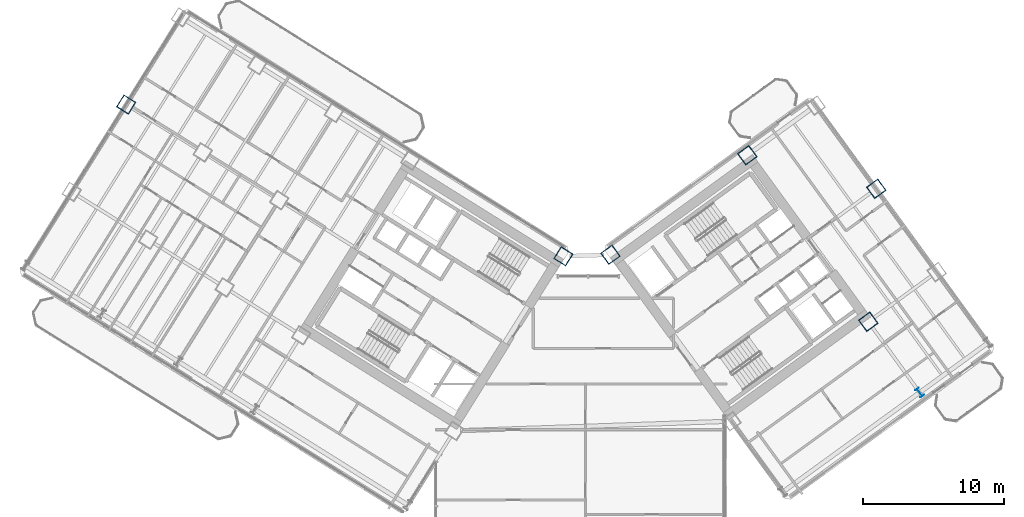
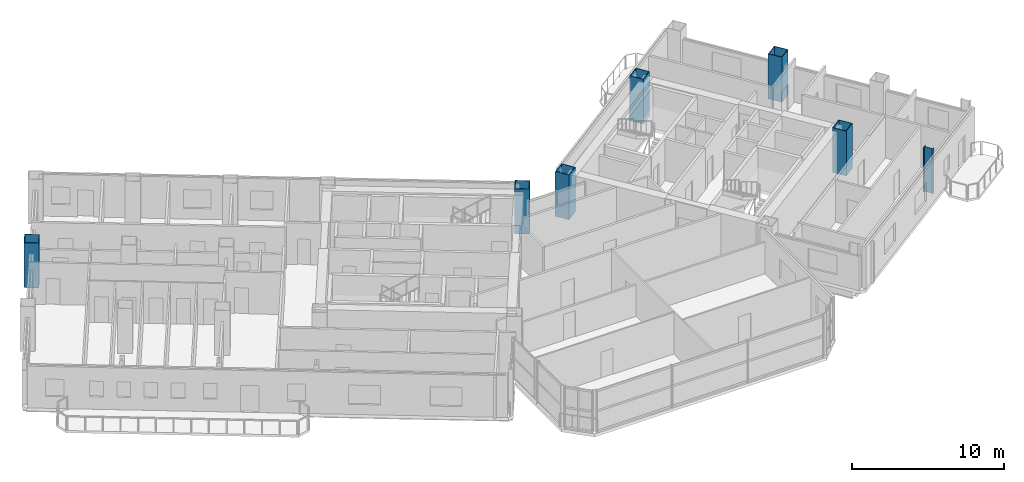
# One storey, part 2 of 28: 7 columns.
"""IFC4 building model written with IfcOpenShell, lengths in metres."""

from ifc_helpers import new_model, si_unit, direction, frame, origin, origin_2d, place, context, subcontext, project, spatial, hollow_rectangle, i_section, extrude, source, transform, mapped, material, material_profile, profile_set, type_object, element, save


model = new_model("IFC4")

# Units and contexts
model_context = context("Model", 3, precision=1e-05, world=origin(), true_north=direction((0.0, 1.0)))
body_context = subcontext(model_context, "Body", "Model", "MODEL_VIEW")
ifc_project = project(units=[si_unit("LENGTHUNIT", "METRE"), si_unit("AREAUNIT", "SQUARE_METRE"), si_unit("VOLUMEUNIT", "CUBIC_METRE"), si_unit("PLANEANGLEUNIT", "RADIAN"), si_unit("MASSUNIT", "GRAM", prefix="KILO")], contexts=[model_context])

# Site, building, storey
site_placement = place(None, origin())
site = spatial("IfcSite", under=ifc_project, at=site_placement, CompositionType="ELEMENT")
building_placement = place(site_placement, origin())
building = spatial("IfcBuilding", under=site, at=building_placement, Name="Tlacorven Tower", CompositionType="ELEMENT")
storey_placement = place(building_placement, frame((0.0, 0.0, 63.60009765625)))
storey = spatial("IfcBuildingStorey", under=building, at=storey_placement, Name="L16", CompositionType="ELEMENT", Elevation=63.60009765625)

# Columns
ifc_material = material(Name="Steel S460M", Category="steel")
ifc_material_profile_1 = material_profile(ifc_material, hollow_rectangle(XDim=1.0, YDim=1.0, WallThickness=0.0400390625, at=origin_2d()), Name="BOX 1000X1000X40")
ifc_profile_set_1 = profile_set([ifc_material_profile_1], Name="Steel S460M")
column_type_1 = type_object("IfcColumnType", Name="COL-TWR-S1", PredefinedType="COLUMN", material=ifc_profile_set_1)
shared_shape_1 = source(origin(), body_context, "Body", "SweptSolid", [
    extrude(hollow_rectangle(XDim=1.0, YDim=1.0, WallThickness=0.0400390625, at=origin_2d()), origin(), (0.0, 0.0, 1.0), 3.599853515625),
])
for number, where, z_axis, x_axis, name in (
    (1, (40.782958984375, 24.468505859375, 0.0), (0.0, 0.0, 1.0), (-0.848048096156, 0.529919264233, 0.0), "L16 column COL-L16-W1-1"),
    (2, (9.777099609375, 35.235107421875, 0.0), (0.0, 0.0, 1.0), (-0.848048096156, 0.529919264233, 0.0), "L16 column COL-L16-W6-2"),
    (3, (44.123779296875, 24.5849609375, 0.0), (0.0, 0.0, 1.0), (0.809016994375, 0.587785252292, 0.0), "L16 column COL-L16-E1-4"),
    (4, (62.41357421875, 19.826904296875, 0.0), (0.0, 0.0, 1.0), (0.809016994375, 0.587785252292, 0.0), "L16 column COL-L16-E3-2"),
    (5, (53.83203125, 31.638427734375, 0.0), (0.0, 0.0, 1.0), (0.809016994375, 0.587785252292, 0.0), "L16 column COL-L16-E3-4"),
    (6, (62.976806640625, 29.25927734375, 0.0), (0.0, 0.0, 1.0), (0.809016994375, 0.587785252292, 0.0), "L16 column COL-L16-E4-3"),
):
    element("IfcColumn", number, at=place(storey_placement, frame(where, z_axis=z_axis, x_axis=x_axis)), inside=storey, type_object=column_type_1, Name=name, PredefinedType="COLUMN", context=body_context, shape_type="MappedRepresentation", body=[
        mapped(shared_shape_1, transform((0.0, 0.0, 0.0), scale=1.0)),
    ])
ifc_material_profile_2 = material_profile(ifc_material, i_section(OverallWidth=0.300048828125, OverallDepth=0.64990234375, WebThickness=0.01611328125, FlangeThickness=0.031005859375, at=origin_2d()), Name="HEB 650")
ifc_profile_set_2 = profile_set([ifc_material_profile_2], Name="Steel S460M")
column_type_2 = type_object("IfcColumnType", Name="COL-TWR-P1", PredefinedType="COLUMN", material=ifc_profile_set_2)
shared_shape_2 = source(origin(), body_context, "Body", "SweptSolid", [
    extrude(i_section(OverallWidth=0.300048828125, OverallDepth=0.64990234375, WebThickness=0.01611328125, FlangeThickness=0.031005859375, at=origin_2d()), origin(), (0.0, 0.0, 1.0), 3.599853515625),
])
column_placement = place(storey_placement, frame((66.057861328125, 14.81103515625, 0.0), z_axis=(0.0, 0.0, 1.0), x_axis=(0.809016994375, 0.587785252292, 0.0)))
element("IfcColumn", 7, at=column_placement, inside=storey, type_object=column_type_2, Name="L16 column COL-L16-E3-1", PredefinedType="COLUMN", context=body_context, shape_type="MappedRepresentation", body=[
    mapped(shared_shape_2, transform((0.0, 0.0, 0.0), scale=1.0)),
])

save(model, "model.ifc")
